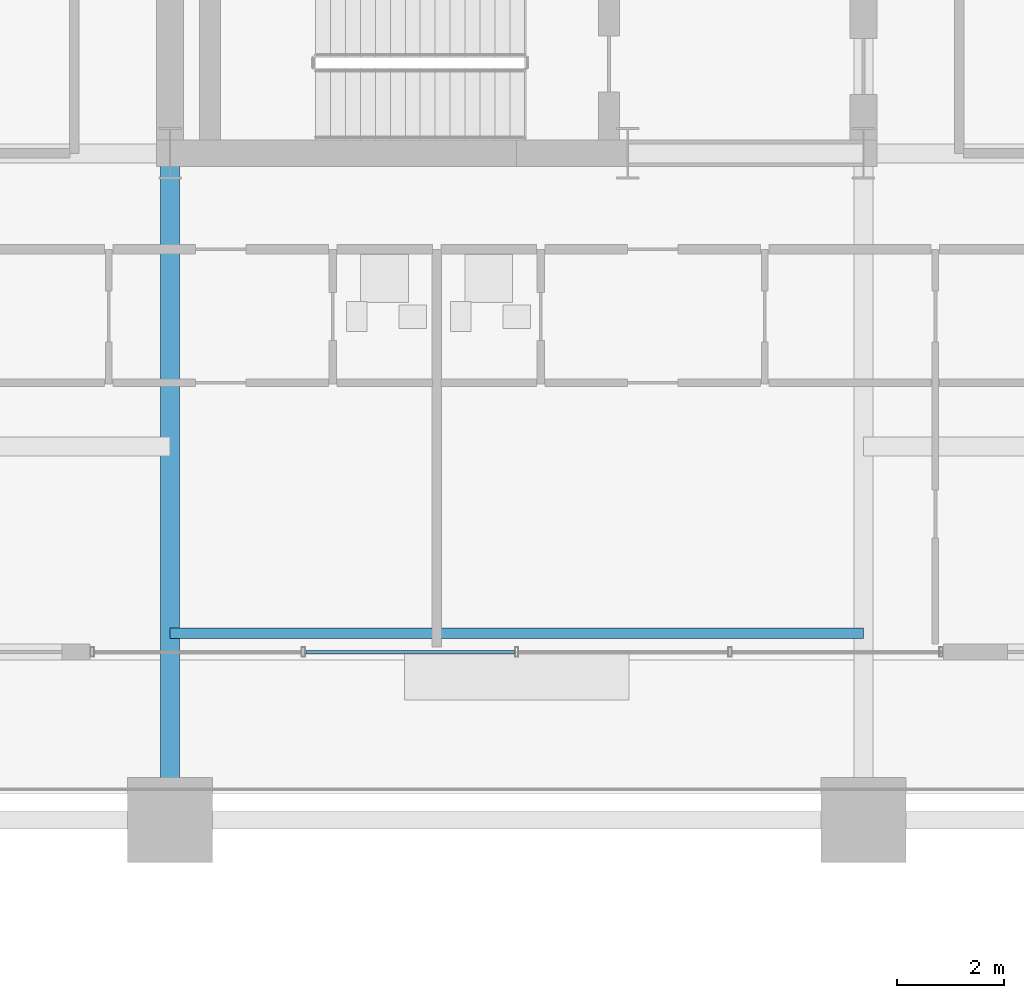
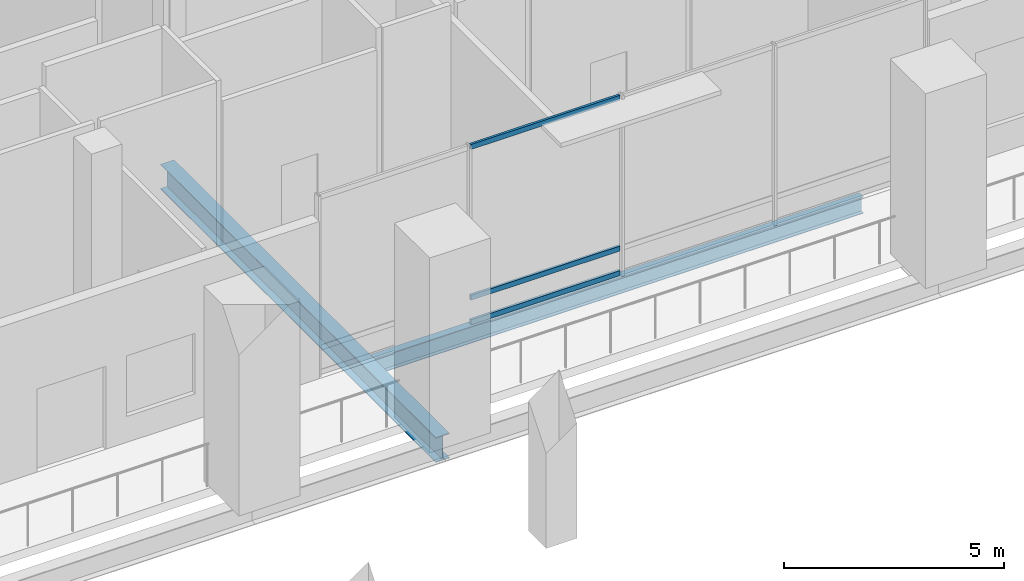
# One storey, part 5 of 25: 3 members, 2 beams, 1 element without a shape of its own.
"""IFC4 building model written with IfcOpenShell, lengths in metres."""

from ifc_helpers import new_model, si_unit, direction, frame, origin, origin_2d, place, context, subcontext, project, spatial, hollow_rectangle, i_section, extrude, material, layer, layer_set, material_profile, profile_set, type_object, element, aggregate, save


model = new_model("IFC4")

# Units and contexts
model_context = context("Model", 3, precision=1e-05, world=origin(), true_north=direction((0.0, 1.0)))
body_context = subcontext(model_context, "Body", "Model", "MODEL_VIEW")
ifc_project = project(units=[si_unit("LENGTHUNIT", "METRE"), si_unit("AREAUNIT", "SQUARE_METRE"), si_unit("VOLUMEUNIT", "CUBIC_METRE"), si_unit("PLANEANGLEUNIT", "RADIAN"), si_unit("MASSUNIT", "GRAM", prefix="KILO")], contexts=[model_context])

# Site, building, storey
site_placement = place(None, origin())
site = spatial("IfcSite", under=ifc_project, at=site_placement, CompositionType="ELEMENT")
building_placement = place(site_placement, origin())
building = spatial("IfcBuilding", under=site, at=building_placement, Name="Barlavira Tower and Art Museum", CompositionType="ELEMENT")
storey_placement = place(building_placement, frame((0.0, 0.0, 22.199951171875)))
storey = spatial("IfcBuildingStorey", under=building, at=storey_placement, Name="L04", CompositionType="ELEMENT", Elevation=22.199951171875)

# Curtain wall, members
ifc_material_1 = material(Name="Low-iron coastal laminated glass", Category="glass")
ifc_layer = layer(ifc_material_1, 0.179931640625, Name="Low-iron coastal laminated glass")
ifc_layer_set = layer_set([ifc_layer], Name="Low-iron coastal laminated glass")
curtain_wall_type = type_object("IfcCurtainWallType", Name="Pale-Metal Unitised Curtain Wall Zone 1", PredefinedType="NOTDEFINED", material=ifc_layer_set)
curtain_wall_placement = place(storey_placement, origin())
curtain_wall = element("IfcCurtainWall", 1, at=curtain_wall_placement, inside=storey, type_object=curtain_wall_type, Name="L04 Curtain Wall CW1-L04-S", PredefinedType="NOTDEFINED")
ifc_material_2 = material(Name="Pale anodised aluminium", Category="aluminium")
ifc_material_profile_1 = material_profile(ifc_material_2, hollow_rectangle(XDim=0.06494140625, YDim=0.139892578125, WallThickness=0.00390625, at=origin_2d()), Name="ALU-TRAN 65x140x4")
ifc_profile_set_1 = profile_set([ifc_material_profile_1], Name="Pale anodised aluminium")
member_type = type_object("IfcMemberType", Name="Curtain Wall Pale-Metal Transom 65x140", PredefinedType="USERDEFINED", material=ifc_profile_set_1)
member_1_placement = place(storey_placement, frame((-3.955078125, -16.85009765625, 0.070068359375), z_axis=(1.0, 0.0, 0.0), x_axis=(0.0, 1.0, 0.0)))
member_1 = element("IfcMember", 2, at=member_1_placement, type_object=member_type, Name="CW1-L04-S Transom 1.1", ObjectType="TRANSOM", PredefinedType="USERDEFINED", context=body_context, shape_type="SweptSolid", body=[
    extrude(hollow_rectangle(XDim=0.06494140625, YDim=0.139892578125, WallThickness=0.00390625, at=origin_2d()), origin(), (0.0, 0.0, 1.0), 3.91015625),
])
member_2_placement = place(storey_placement, frame((-3.955078125, -16.85009765625, 0.75), z_axis=(1.0, 0.0, 0.0), x_axis=(0.0, 1.0, 0.0)))
member_2 = element("IfcMember", 3, at=member_2_placement, type_object=member_type, Name="CW1-L04-S Transom 1.2", ObjectType="TRANSOM", PredefinedType="USERDEFINED", context=body_context, shape_type="SweptSolid", body=[
    extrude(hollow_rectangle(XDim=0.06494140625, YDim=0.139892578125, WallThickness=0.00390625, at=origin_2d()), origin(), (0.0, 0.0, 1.0), 3.91015625),
])
member_3_placement = place(storey_placement, frame((-3.955078125, -16.85009765625, 4.929931640625), z_axis=(1.0, 0.0, 0.0), x_axis=(0.0, 1.0, 0.0)))
member_3 = element("IfcMember", 4, at=member_3_placement, type_object=member_type, Name="CW1-L04-S Transom 1.3", ObjectType="TRANSOM", PredefinedType="USERDEFINED", context=body_context, shape_type="SweptSolid", body=[
    extrude(hollow_rectangle(XDim=0.06494140625, YDim=0.139892578125, WallThickness=0.00390625, at=origin_2d()), origin(), (0.0, 0.0, 1.0), 3.91015625),
])
aggregate(curtain_wall, [member_1, member_2, member_3])

# Beams
ifc_material_3 = material(Name="Steel S355", Category="steel")
ifc_material_profile_2 = material_profile(ifc_material_3, i_section(OverallWidth=0.19189453125, OverallDepth=0.462890625, WebThickness=0.010498046875, FlangeThickness=0.017578125, at=origin_2d()), Name="W460x89.0")
ifc_profile_set_2 = profile_set([ifc_material_profile_2], Name="Steel S355")
beam_type_1 = type_object("IfcBeamType", Name="Podium Floor Joist W460x89 Steel S355", PredefinedType="JOIST", material=ifc_profile_set_2)
beam_1_placement = place(storey_placement, frame((-6.5, -16.5, -0.511474609375), z_axis=(1.0, 0.0, 0.0), x_axis=(0.0, 1.0, 0.0)))
element("IfcBeam", 5, at=beam_1_placement, inside=storey, type_object=beam_type_1, Name="L04 Joist C1", PredefinedType="JOIST", context=body_context, shape_type="SweptSolid", body=[
    extrude(i_section(OverallWidth=0.19189453125, OverallDepth=0.462890625, WebThickness=0.010498046875, FlangeThickness=0.017578125, at=origin_2d()), origin(), (0.0, 0.0, 1.0), 13.0),
])
ifc_material_profile_3 = material_profile(ifc_material_3, i_section(OverallWidth=0.35595703125, OverallDepth=0.695068359375, WebThickness=0.014892578125, FlangeThickness=0.023681640625, at=origin_2d()), Name="W690x192.0")
ifc_profile_set_3 = profile_set([ifc_material_profile_3], Name="Steel S355")
beam_type_2 = type_object("IfcBeamType", Name="Podium Primary Girder W690x192 Steel S355", PredefinedType="BEAM", material=ifc_profile_set_3)
beam_2_placement = place(storey_placement, frame((-6.5, -20.0, -0.62744140625), z_axis=(0.0, 1.0, 0.0), x_axis=(-1.0, 0.0, 0.0)))
element("IfcBeam", 6, at=beam_2_placement, inside=storey, type_object=beam_type_2, Name="L04 Girder R-S1", PredefinedType="BEAM", context=body_context, shape_type="SweptSolid", body=[
    extrude(i_section(OverallWidth=0.35595703125, OverallDepth=0.695068359375, WebThickness=0.014892578125, FlangeThickness=0.023681640625, at=origin_2d()), origin(), (0.0, 0.0, 1.0), 12.5),
])

save(model, "model.ifc")
